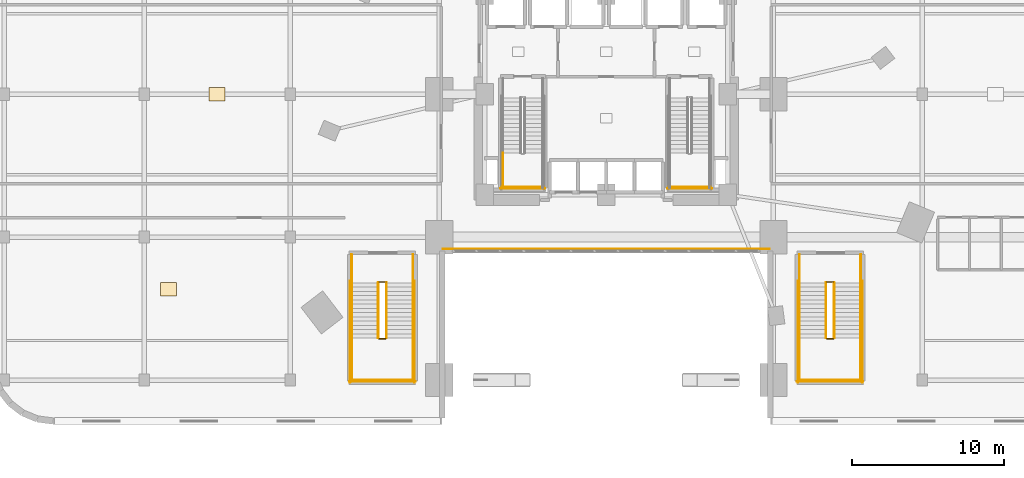
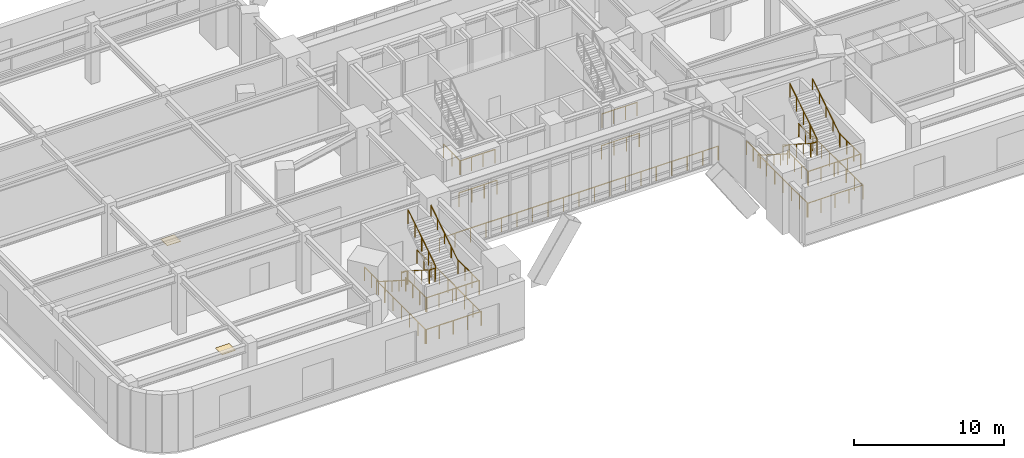
# One storey, part 24 of 26: 34 railings, 2 coverings.
"""IFC4 building model written with IfcOpenShell, lengths in metres."""

from ifc_helpers import new_model, si_unit, direction, frame, origin, origin_2d, place, context, subcontext, project, spatial, rectangle, circle, extrude, material, layer, layer_set, type_object, element, save


model = new_model("IFC4")

# Units and contexts
model_context = context("Model", 3, precision=1e-05, world=origin(), true_north=direction((0.0, 1.0)))
body_context = subcontext(model_context, "Body", "Model", "MODEL_VIEW")
ifc_project = project(units=[si_unit("LENGTHUNIT", "METRE"), si_unit("AREAUNIT", "SQUARE_METRE"), si_unit("VOLUMEUNIT", "CUBIC_METRE"), si_unit("PLANEANGLEUNIT", "RADIAN"), si_unit("MASSUNIT", "GRAM", prefix="KILO")], contexts=[model_context])

# Site, building, storey
site_placement = place(None, origin())
site = spatial("IfcSite", under=ifc_project, at=site_placement, CompositionType="ELEMENT")
building_placement = place(site_placement, origin())
building = spatial("IfcBuilding", under=site, at=building_placement, Name="Ndelora Gate Hotel", CompositionType="ELEMENT")
storey_placement = place(building_placement, frame((0.0, 0.0, 6.0)))
storey = spatial("IfcBuildingStorey", under=building, at=storey_placement, Name="L01", CompositionType="ELEMENT", Elevation=6.0)

# Coverings
ifc_material_1 = material(Name="Engineered Highland Oak Parquet", Category="wood")
ifc_layer_1 = layer(ifc_material_1, 0.030029296875)
ifc_layer_set_1 = layer_set([ifc_layer_1], Name="Engineered Highland Oak Parquet")
covering_type = type_object("IfcCoveringType", Name="COV-FLR-PARQ", PredefinedType="FLOORING", material=ifc_layer_set_1)
for number, where, z_axis, x_axis, name in (
    (1, (-25.625, 0.0, 0.0), (0.0, 0.0, 1.0), (1.0, 0.0, 0.0), "L01 Portal Arch Mezzanine Salon Oak Parquet Flooring"),
    (2, (-28.800048828125, -12.82861328125, 0.0), (0.0, 0.0, 1.0), (1.0, 0.0, 0.0), "L01 West Mezzanine VIP Dining Room Oak Parquet Flooring"),
):
    element("IfcCovering", number, at=place(storey_placement, frame(where, z_axis=z_axis, x_axis=x_axis)), inside=storey, type_object=covering_type, Name=name, PredefinedType="FLOORING", context=body_context, shape_type="SweptSolid", body=[
        extrude(rectangle(XDim=1.050048828125, YDim=0.89990234375, at=origin_2d()), origin(), (0.0, 0.0, 1.0), 0.030029296875),
    ])

# Railings
ifc_material_2 = material(Name="Laminated Safety Glass and Bronze Top Rail", Category="glass")
ifc_layer_2 = layer(ifc_material_2, 0.070068359375)
ifc_layer_set_2 = layer_set([ifc_layer_2], Name="Laminated Safety Glass and Bronze Top Rail")
railing_type_1 = type_object("IfcRailingType", Name="RL-BAL-1150", PredefinedType="BALUSTRADE", material=ifc_layer_set_2)
railing_1_placement = place(storey_placement, frame((-10.75, -10.179931640625, 0.0)))
element("IfcRailing", 3, at=railing_1_placement, inside=storey, type_object=railing_type_1, Name="L01 Portal Arch Atrium Edge Guard S-BRIDGE", PredefinedType="BALUSTRADE", context=body_context, shape_type="SweptSolid", body=[
    extrude(circle(Radius=0.02392578125, at=origin_2d()), frame((0.0, 0.0, 1.1357421875), z_axis=(1.0, 0.0, 0.0), x_axis=(0.0, 1.0, 0.0)), (0.0, 0.0, 1.0), 21.5),
    extrude(circle(Radius=0.02099609375, at=origin_2d()), origin(), (0.0, 0.0, 1.0), 1.11181640625),
    extrude(circle(Radius=0.02099609375, at=origin_2d()), frame((1.1943359375, 0.0, 0.0)), (0.0, 0.0, 1.0), 1.11181640625),
    extrude(circle(Radius=0.02099609375, at=origin_2d()), frame((2.388916015625, 0.0, 0.0)), (0.0, 0.0, 1.0), 1.11181640625),
    extrude(circle(Radius=0.02099609375, at=origin_2d()), frame((3.583251953125, 0.0, 0.0)), (0.0, 0.0, 1.0), 1.11181640625),
    extrude(circle(Radius=0.02099609375, at=origin_2d()), frame((4.77783203125, 0.0, 0.0)), (0.0, 0.0, 1.0), 1.11181640625),
    extrude(circle(Radius=0.02099609375, at=origin_2d()), frame((5.97216796875, 0.0, 0.0)), (0.0, 0.0, 1.0), 1.11181640625),
    extrude(circle(Radius=0.02099609375, at=origin_2d()), frame((7.166748046875, 0.0, 0.0)), (0.0, 0.0, 1.0), 1.11181640625),
    extrude(circle(Radius=0.02099609375, at=origin_2d()), frame((8.361083984375, 0.0, 0.0)), (0.0, 0.0, 1.0), 1.11181640625),
    extrude(circle(Radius=0.02099609375, at=origin_2d()), frame((9.5556640625, 0.0, 0.0)), (0.0, 0.0, 1.0), 1.11181640625),
    extrude(circle(Radius=0.02099609375, at=origin_2d()), frame((10.75, 0.0, 0.0)), (0.0, 0.0, 1.0), 1.11181640625),
    extrude(circle(Radius=0.02099609375, at=origin_2d()), frame((11.9443359375, 0.0, 0.0)), (0.0, 0.0, 1.0), 1.11181640625),
    extrude(circle(Radius=0.02099609375, at=origin_2d()), frame((13.138916015625, 0.0, 0.0)), (0.0, 0.0, 1.0), 1.11181640625),
    extrude(circle(Radius=0.02099609375, at=origin_2d()), frame((14.333251953125, 0.0, 0.0)), (0.0, 0.0, 1.0), 1.11181640625),
    extrude(circle(Radius=0.02099609375, at=origin_2d()), frame((15.52783203125, 0.0, 0.0)), (0.0, 0.0, 1.0), 1.11181640625),
    extrude(circle(Radius=0.02099609375, at=origin_2d()), frame((16.72216796875, 0.0, 0.0)), (0.0, 0.0, 1.0), 1.11181640625),
    extrude(circle(Radius=0.02099609375, at=origin_2d()), frame((17.916748046875, 0.0, 0.0)), (0.0, 0.0, 1.0), 1.11181640625),
    extrude(circle(Radius=0.02099609375, at=origin_2d()), frame((19.111083984375, 0.0, 0.0)), (0.0, 0.0, 1.0), 1.11181640625),
    extrude(circle(Radius=0.02099609375, at=origin_2d()), frame((20.3056640625, 0.0, 0.0)), (0.0, 0.0, 1.0), 1.11181640625),
    extrude(circle(Radius=0.02099609375, at=origin_2d()), frame((21.5, 0.0, 0.0)), (0.0, 0.0, 1.0), 1.11181640625),
])
ifc_material_3 = material(Name="Painted Galvanized Steel Balustrade", Category="steel")
ifc_layer_3 = layer(ifc_material_3, 0.06005859375)
ifc_layer_set_3 = layer_set([ifc_layer_3], Name="Painted Galvanized Steel Balustrade")
railing_type_2 = type_object("IfcRailingType", Name="RL-STAIR-GD", PredefinedType="GUARDRAIL", material=ifc_layer_set_3)
railing_2_placement = place(storey_placement, frame((-6.800048828125, -3.8701171875, 2.5)))
element("IfcRailing", 4, at=railing_2_placement, inside=storey, type_object=railing_type_2, Name="L01 ST4 stair guard 3", PredefinedType="GUARDRAIL", context=body_context, shape_type="SweptSolid", body=[
    extrude(circle(Radius=0.02392578125, at=origin_2d()), frame((0.0, 0.0, 1.10595703125), z_axis=(0.0, -1.0, 0.0), x_axis=(1.0, 0.0, 0.0)), (0.0, 0.0, 1.0), 2.27978515625),
    extrude(circle(Radius=0.02099609375, at=origin_2d()), origin(), (0.0, 0.0, 1.0), 1.081787109375),
    extrude(circle(Radius=0.02099609375, at=origin_2d()), frame((0.0, -1.139892578125, 0.0)), (0.0, 0.0, 1.0), 1.081787109375),
    extrude(circle(Radius=0.02099609375, at=origin_2d()), frame((0.0, -2.27978515625, 0.0)), (0.0, 0.0, 1.0), 1.081787109375),
])
railing_3_placement = place(storey_placement, frame((-6.85009765625, -6.10009765625, 2.5)))
element("IfcRailing", 5, at=railing_3_placement, inside=storey, type_object=railing_type_2, Name="L01 ST4 stair guard 5", PredefinedType="GUARDRAIL", context=body_context, shape_type="SweptSolid", body=[
    extrude(circle(Radius=0.02392578125, at=origin_2d()), frame((0.0, 0.0, 1.10595703125), z_axis=(1.0, 0.0, 0.0), x_axis=(0.0, 1.0, 0.0)), (0.0, 0.0, 1.0), 2.72021484375),
    extrude(circle(Radius=0.02099609375, at=origin_2d()), origin(), (0.0, 0.0, 1.0), 1.081787109375),
    extrude(circle(Radius=0.02099609375, at=origin_2d()), frame((0.90673828125, 0.0, 0.0)), (0.0, 0.0, 1.0), 1.081787109375),
    extrude(circle(Radius=0.02099609375, at=origin_2d()), frame((1.8134765625, 0.0, 0.0)), (0.0, 0.0, 1.0), 1.081787109375),
    extrude(circle(Radius=0.02099609375, at=origin_2d()), frame((2.72021484375, 0.0, 0.0)), (0.0, 0.0, 1.0), 1.081787109375),
])
railing_4_placement = place(storey_placement, frame((-6.949951171875, -6.199951171875, 0.0)))
element("IfcRailing", 6, at=railing_4_placement, inside=storey, type_object=railing_type_2, Name="L01 ST4 stair guard 12", PredefinedType="GUARDRAIL", context=body_context, shape_type="SweptSolid", body=[
    extrude(circle(Radius=0.02392578125, at=origin_2d()), frame((0.0, 0.0, 1.10595703125), z_axis=(1.0, 0.0, 0.0), x_axis=(0.0, 1.0, 0.0)), (0.0, 0.0, 1.0), 2.919921875),
    extrude(circle(Radius=0.02099609375, at=origin_2d()), origin(), (0.0, 0.0, 1.0), 1.081787109375),
    extrude(circle(Radius=0.02099609375, at=origin_2d()), frame((0.973388671875, 0.0, 0.0)), (0.0, 0.0, 1.0), 1.081787109375),
    extrude(circle(Radius=0.02099609375, at=origin_2d()), frame((1.946533203125, 0.0, 0.0)), (0.0, 0.0, 1.0), 1.081787109375),
    extrude(circle(Radius=0.02099609375, at=origin_2d()), frame((2.919921875, 0.0, 0.0)), (0.0, 0.0, 1.0), 1.081787109375),
])
railing_5_placement = place(storey_placement, frame((4.1298828125, -6.10009765625, 2.5)))
element("IfcRailing", 7, at=railing_5_placement, inside=storey, type_object=railing_type_2, Name="L01 ST5 stair guard 5", PredefinedType="GUARDRAIL", context=body_context, shape_type="SweptSolid", body=[
    extrude(circle(Radius=0.02392578125, at=origin_2d()), frame((0.0, 0.0, 1.10595703125), z_axis=(1.0, 0.0, 0.0), x_axis=(0.0, 1.0, 0.0)), (0.0, 0.0, 1.0), 2.72021484375),
    extrude(circle(Radius=0.02099609375, at=origin_2d()), origin(), (0.0, 0.0, 1.0), 1.081787109375),
    extrude(circle(Radius=0.02099609375, at=origin_2d()), frame((0.90673828125, 0.0, 0.0)), (0.0, 0.0, 1.0), 1.081787109375),
    extrude(circle(Radius=0.02099609375, at=origin_2d()), frame((1.8134765625, 0.0, 0.0)), (0.0, 0.0, 1.0), 1.081787109375),
    extrude(circle(Radius=0.02099609375, at=origin_2d()), frame((2.72021484375, 0.0, 0.0)), (0.0, 0.0, 1.0), 1.081787109375),
])
railing_6_placement = place(storey_placement, frame((4.030029296875, -6.199951171875, 0.0)))
element("IfcRailing", 8, at=railing_6_placement, inside=storey, type_object=railing_type_2, Name="L01 ST5 stair guard 12", PredefinedType="GUARDRAIL", context=body_context, shape_type="SweptSolid", body=[
    extrude(circle(Radius=0.02392578125, at=origin_2d()), frame((0.0, 0.0, 1.10595703125), z_axis=(1.0, 0.0, 0.0), x_axis=(0.0, 1.0, 0.0)), (0.0, 0.0, 1.0), 2.919921875),
    extrude(circle(Radius=0.02099609375, at=origin_2d()), origin(), (0.0, 0.0, 1.0), 1.081787109375),
    extrude(circle(Radius=0.02099609375, at=origin_2d()), frame((0.973388671875, 0.0, 0.0)), (0.0, 0.0, 1.0), 1.081787109375),
    extrude(circle(Radius=0.02099609375, at=origin_2d()), frame((1.946533203125, 0.0, 0.0)), (0.0, 0.0, 1.0), 1.081787109375),
    extrude(circle(Radius=0.02099609375, at=origin_2d()), frame((2.919921875, 0.0, 0.0)), (0.0, 0.0, 1.0), 1.081787109375),
])
railing_7_placement = place(storey_placement, frame((-15.0, -12.39990234375, 0.178466796875)))
element("IfcRailing", 9, at=railing_7_placement, inside=storey, type_object=railing_type_2, Name="L01 ST3A stair guard 1", PredefinedType="GUARDRAIL", context=body_context, shape_type="SweptSolid", body=[
    extrude(circle(Radius=0.02392578125, at=origin_2d()), frame((0.0, 0.0, 1.10595703125), z_axis=(0.0, -0.843127859045, 0.537713132908), x_axis=(1.0, 0.0, 0.0)), (0.0, 0.0, 1.0), 4.3173828125),
    extrude(circle(Radius=0.02099609375, at=origin_2d()), origin(), (0.0, 0.0, 1.0), 1.081787109375),
    extrude(circle(Radius=0.02099609375, at=origin_2d()), frame((0.0, -0.91015625, 0.580322265625)), (0.0, 0.0, 1.0), 1.081787109375),
    extrude(circle(Radius=0.02099609375, at=origin_2d()), frame((0.0, -1.820068359375, 1.16064453125)), (0.0, 0.0, 1.0), 1.081787109375),
    extrude(circle(Radius=0.02099609375, at=origin_2d()), frame((0.0, -2.72998046875, 1.7412109375)), (0.0, 0.0, 1.0), 1.081787109375),
    extrude(circle(Radius=0.02099609375, at=origin_2d()), frame((0.0, -3.64013671875, 2.321533203125)), (0.0, 0.0, 1.0), 1.081787109375),
])
railing_8_placement = place(storey_placement, frame((-14.949951171875, -16.090087890625, 2.5)))
element("IfcRailing", 10, at=railing_8_placement, inside=storey, type_object=railing_type_2, Name="L01 ST3A stair guard 2", PredefinedType="GUARDRAIL", context=body_context, shape_type="SweptSolid", body=[
    extrude(circle(Radius=0.02392578125, at=origin_2d()), frame((0.0, 0.0, 1.10595703125), z_axis=(1.0, 0.0, 0.0), x_axis=(0.0, 1.0, 0.0)), (0.0, 0.0, 1.0), 0.43994140625),
    extrude(circle(Radius=0.02099609375, at=origin_2d()), origin(), (0.0, 0.0, 1.0), 1.081787109375),
    extrude(circle(Radius=0.02099609375, at=origin_2d()), frame((0.43994140625, 0.0, 0.0)), (0.0, 0.0, 1.0), 1.081787109375),
])
for number, where, name in (
    (11, (-16.75, -16.0400390625, 2.5), "L01 ST3A stair guard 3"),
    (12, (-12.7099609375, -16.0400390625, 2.5), "L01 ST3A stair guard 4"),
):
    element("IfcRailing", number, at=place(storey_placement, frame(where)), inside=storey, type_object=railing_type_2, Name=name, PredefinedType="GUARDRAIL", context=body_context, shape_type="SweptSolid", body=[
        extrude(circle(Radius=0.02392578125, at=origin_2d()), frame((0.0, 0.0, 1.10595703125), z_axis=(0.0, -1.0, 0.0), x_axis=(1.0, 0.0, 0.0)), (0.0, 0.0, 1.0), 2.81005859375),
        extrude(circle(Radius=0.02099609375, at=origin_2d()), origin(), (0.0, 0.0, 1.0), 1.081787109375),
        extrude(circle(Radius=0.02099609375, at=origin_2d()), frame((0.0, -0.936767578125, 0.0)), (0.0, 0.0, 1.0), 1.081787109375),
        extrude(circle(Radius=0.02099609375, at=origin_2d()), frame((0.0, -1.873291015625, 0.0)), (0.0, 0.0, 1.0), 1.081787109375),
        extrude(circle(Radius=0.02099609375, at=origin_2d()), frame((0.0, -2.81005859375, 0.0)), (0.0, 0.0, 1.0), 1.081787109375),
    ])
railing_9_placement = place(storey_placement, frame((-16.800048828125, -18.800048828125, 2.5)))
element("IfcRailing", 13, at=railing_9_placement, inside=storey, type_object=railing_type_2, Name="L01 ST3A stair guard 5", PredefinedType="GUARDRAIL", context=body_context, shape_type="SweptSolid", body=[
    extrude(circle(Radius=0.02392578125, at=origin_2d()), frame((0.0, 0.0, 1.10595703125), z_axis=(1.0, 0.0, 0.0), x_axis=(0.0, 1.0, 0.0)), (0.0, 0.0, 1.0), 4.14013671875),
    extrude(circle(Radius=0.02099609375, at=origin_2d()), origin(), (0.0, 0.0, 1.0), 1.081787109375),
    extrude(circle(Radius=0.02099609375, at=origin_2d()), frame((1.03515625, 0.0, 0.0)), (0.0, 0.0, 1.0), 1.081787109375),
    extrude(circle(Radius=0.02099609375, at=origin_2d()), frame((2.070068359375, 0.0, 0.0)), (0.0, 0.0, 1.0), 1.081787109375),
    extrude(circle(Radius=0.02099609375, at=origin_2d()), frame((3.10498046875, 0.0, 0.0)), (0.0, 0.0, 1.0), 1.081787109375),
    extrude(circle(Radius=0.02099609375, at=origin_2d()), frame((4.14013671875, 0.0, 0.0)), (0.0, 0.0, 1.0), 1.081787109375),
])
railing_10_placement = place(storey_placement, frame((-14.4599609375, -16.0400390625, 2.678466796875)))
element("IfcRailing", 14, at=railing_10_placement, inside=storey, type_object=railing_type_2, Name="L01 ST3A stair guard 6", PredefinedType="GUARDRAIL", context=body_context, shape_type="SweptSolid", body=[
    extrude(circle(Radius=0.02392578125, at=origin_2d()), frame((0.0, 0.0, 1.10595703125), z_axis=(0.0, 0.843127859045, 0.537713132908), x_axis=(-1.0, 0.0, 0.0)), (0.0, 0.0, 1.0), 4.3173828125),
    extrude(circle(Radius=0.02099609375, at=origin_2d()), origin(), (0.0, 0.0, 1.0), 1.081787109375),
    extrude(circle(Radius=0.02099609375, at=origin_2d()), frame((0.0, 0.91015625, 0.580322265625)), (0.0, 0.0, 1.0), 1.081787109375),
    extrude(circle(Radius=0.02099609375, at=origin_2d()), frame((0.0, 1.820068359375, 1.16064453125)), (0.0, 0.0, 1.0), 1.081787109375),
    extrude(circle(Radius=0.02099609375, at=origin_2d()), frame((0.0, 2.72998046875, 1.7412109375)), (0.0, 0.0, 1.0), 1.081787109375),
    extrude(circle(Radius=0.02099609375, at=origin_2d()), frame((0.0, 3.64013671875, 2.321533203125)), (0.0, 0.0, 1.0), 1.081787109375),
])
railing_11_placement = place(storey_placement, frame((-14.949951171875, -12.35009765625, 0.0)))
element("IfcRailing", 15, at=railing_11_placement, inside=storey, type_object=railing_type_2, Name="L01 ST3A stair guard 7", PredefinedType="GUARDRAIL", context=body_context, shape_type="SweptSolid", body=[
    extrude(circle(Radius=0.02392578125, at=origin_2d()), frame((0.0, 0.0, 1.10595703125), z_axis=(1.0, 0.0, 0.0), x_axis=(0.0, 1.0, 0.0)), (0.0, 0.0, 1.0), 0.43994140625),
    extrude(circle(Radius=0.02099609375, at=origin_2d()), origin(), (0.0, 0.0, 1.0), 1.081787109375),
    extrude(circle(Radius=0.02099609375, at=origin_2d()), frame((0.43994140625, 0.0, 0.0)), (0.0, 0.0, 1.0), 1.081787109375),
])
for number, where, name in (
    (16, (-16.75, -10.550048828125, 0.0), "L01 ST3A stair guard 8"),
    (17, (-12.7099609375, -10.550048828125, 0.0), "L01 ST3A stair guard 9"),
):
    element("IfcRailing", number, at=place(storey_placement, frame(where)), inside=storey, type_object=railing_type_2, Name=name, PredefinedType="GUARDRAIL", context=body_context, shape_type="SweptSolid", body=[
        extrude(circle(Radius=0.02392578125, at=origin_2d()), frame((0.0, 0.0, 1.10595703125), z_axis=(0.0, -1.0, 0.0), x_axis=(1.0, 0.0, 0.0)), (0.0, 0.0, 1.0), 1.849853515625),
        extrude(circle(Radius=0.02099609375, at=origin_2d()), origin(), (0.0, 0.0, 1.0), 1.081787109375),
        extrude(circle(Radius=0.02099609375, at=origin_2d()), frame((0.0, -0.9248046875, 0.0)), (0.0, 0.0, 1.0), 1.081787109375),
        extrude(circle(Radius=0.02099609375, at=origin_2d()), frame((0.0, -1.849853515625, 0.0)), (0.0, 0.0, 1.0), 1.081787109375),
    ])
for number, where, name in (
    (18, (-16.85009765625, -12.300048828125, 0.0), "L01 ST3A stair guard 10"),
    (19, (-12.610107421875, -12.300048828125, 0.0), "L01 ST3A stair guard 11"),
):
    element("IfcRailing", number, at=place(storey_placement, frame(where)), inside=storey, type_object=railing_type_2, Name=name, PredefinedType="GUARDRAIL", context=body_context, shape_type="SweptSolid", body=[
        extrude(circle(Radius=0.02392578125, at=origin_2d()), frame((0.0, 0.0, 1.10595703125), z_axis=(0.0, -1.0, 0.0), x_axis=(1.0, 0.0, 0.0)), (0.0, 0.0, 1.0), 6.64990234375),
        extrude(circle(Radius=0.02099609375, at=origin_2d()), origin(), (0.0, 0.0, 1.0), 1.081787109375),
        extrude(circle(Radius=0.02099609375, at=origin_2d()), frame((0.0, -1.1083984375, 0.0)), (0.0, 0.0, 1.0), 1.081787109375),
        extrude(circle(Radius=0.02099609375, at=origin_2d()), frame((0.0, -2.216552734375, 0.0)), (0.0, 0.0, 1.0), 1.081787109375),
        extrude(circle(Radius=0.02099609375, at=origin_2d()), frame((0.0, -3.324951171875, 0.0)), (0.0, 0.0, 1.0), 1.081787109375),
        extrude(circle(Radius=0.02099609375, at=origin_2d()), frame((0.0, -4.433349609375, 0.0)), (0.0, 0.0, 1.0), 1.081787109375),
        extrude(circle(Radius=0.02099609375, at=origin_2d()), frame((0.0, -5.54150390625, 0.0)), (0.0, 0.0, 1.0), 1.081787109375),
        extrude(circle(Radius=0.02099609375, at=origin_2d()), frame((0.0, -6.64990234375, 0.0)), (0.0, 0.0, 1.0), 1.081787109375),
    ])
railing_12_placement = place(storey_placement, frame((-16.89990234375, -18.89990234375, 0.0)))
element("IfcRailing", 20, at=railing_12_placement, inside=storey, type_object=railing_type_2, Name="L01 ST3A stair guard 12", PredefinedType="GUARDRAIL", context=body_context, shape_type="SweptSolid", body=[
    extrude(circle(Radius=0.02392578125, at=origin_2d()), frame((0.0, 0.0, 1.10595703125), z_axis=(1.0, 0.0, 0.0), x_axis=(0.0, 1.0, 0.0)), (0.0, 0.0, 1.0), 4.33984375),
    extrude(circle(Radius=0.02099609375, at=origin_2d()), origin(), (0.0, 0.0, 1.0), 1.081787109375),
    extrude(circle(Radius=0.02099609375, at=origin_2d()), frame((1.0849609375, 0.0, 0.0)), (0.0, 0.0, 1.0), 1.081787109375),
    extrude(circle(Radius=0.02099609375, at=origin_2d()), frame((2.169921875, 0.0, 0.0)), (0.0, 0.0, 1.0), 1.081787109375),
    extrude(circle(Radius=0.02099609375, at=origin_2d()), frame((3.2548828125, 0.0, 0.0)), (0.0, 0.0, 1.0), 1.081787109375),
    extrude(circle(Radius=0.02099609375, at=origin_2d()), frame((4.33984375, 0.0, 0.0)), (0.0, 0.0, 1.0), 1.081787109375),
])
railing_13_placement = place(storey_placement, frame((14.4599609375, -12.39990234375, 0.178466796875)))
element("IfcRailing", 21, at=railing_13_placement, inside=storey, type_object=railing_type_2, Name="L01 ST3B stair guard 1", PredefinedType="GUARDRAIL", context=body_context, shape_type="SweptSolid", body=[
    extrude(circle(Radius=0.02392578125, at=origin_2d()), frame((0.0, 0.0, 1.10595703125), z_axis=(0.0, -0.843127859045, 0.537713132908), x_axis=(1.0, 0.0, 0.0)), (0.0, 0.0, 1.0), 4.3173828125),
    extrude(circle(Radius=0.02099609375, at=origin_2d()), origin(), (0.0, 0.0, 1.0), 1.081787109375),
    extrude(circle(Radius=0.02099609375, at=origin_2d()), frame((0.0, -0.91015625, 0.580322265625)), (0.0, 0.0, 1.0), 1.081787109375),
    extrude(circle(Radius=0.02099609375, at=origin_2d()), frame((0.0, -1.820068359375, 1.16064453125)), (0.0, 0.0, 1.0), 1.081787109375),
    extrude(circle(Radius=0.02099609375, at=origin_2d()), frame((0.0, -2.72998046875, 1.7412109375)), (0.0, 0.0, 1.0), 1.081787109375),
    extrude(circle(Radius=0.02099609375, at=origin_2d()), frame((0.0, -3.64013671875, 2.321533203125)), (0.0, 0.0, 1.0), 1.081787109375),
])
railing_14_placement = place(storey_placement, frame((14.510009765625, -16.090087890625, 2.5)))
element("IfcRailing", 22, at=railing_14_placement, inside=storey, type_object=railing_type_2, Name="L01 ST3B stair guard 2", PredefinedType="GUARDRAIL", context=body_context, shape_type="SweptSolid", body=[
    extrude(circle(Radius=0.02392578125, at=origin_2d()), frame((0.0, 0.0, 1.10595703125), z_axis=(1.0, 0.0, 0.0), x_axis=(0.0, 1.0, 0.0)), (0.0, 0.0, 1.0), 0.43994140625),
    extrude(circle(Radius=0.02099609375, at=origin_2d()), origin(), (0.0, 0.0, 1.0), 1.081787109375),
    extrude(circle(Radius=0.02099609375, at=origin_2d()), frame((0.43994140625, 0.0, 0.0)), (0.0, 0.0, 1.0), 1.081787109375),
])
for number, where, name in (
    (23, (12.7099609375, -16.0400390625, 2.5), "L01 ST3B stair guard 3"),
    (24, (16.75, -16.0400390625, 2.5), "L01 ST3B stair guard 4"),
):
    element("IfcRailing", number, at=place(storey_placement, frame(where)), inside=storey, type_object=railing_type_2, Name=name, PredefinedType="GUARDRAIL", context=body_context, shape_type="SweptSolid", body=[
        extrude(circle(Radius=0.02392578125, at=origin_2d()), frame((0.0, 0.0, 1.10595703125), z_axis=(0.0, -1.0, 0.0), x_axis=(1.0, 0.0, 0.0)), (0.0, 0.0, 1.0), 2.81005859375),
        extrude(circle(Radius=0.02099609375, at=origin_2d()), origin(), (0.0, 0.0, 1.0), 1.081787109375),
        extrude(circle(Radius=0.02099609375, at=origin_2d()), frame((0.0, -0.936767578125, 0.0)), (0.0, 0.0, 1.0), 1.081787109375),
        extrude(circle(Radius=0.02099609375, at=origin_2d()), frame((0.0, -1.873291015625, 0.0)), (0.0, 0.0, 1.0), 1.081787109375),
        extrude(circle(Radius=0.02099609375, at=origin_2d()), frame((0.0, -2.81005859375, 0.0)), (0.0, 0.0, 1.0), 1.081787109375),
    ])
railing_15_placement = place(storey_placement, frame((12.659912109375, -18.800048828125, 2.5)))
element("IfcRailing", 25, at=railing_15_placement, inside=storey, type_object=railing_type_2, Name="L01 ST3B stair guard 5", PredefinedType="GUARDRAIL", context=body_context, shape_type="SweptSolid", body=[
    extrude(circle(Radius=0.02392578125, at=origin_2d()), frame((0.0, 0.0, 1.10595703125), z_axis=(1.0, 0.0, 0.0), x_axis=(0.0, 1.0, 0.0)), (0.0, 0.0, 1.0), 4.14013671875),
    extrude(circle(Radius=0.02099609375, at=origin_2d()), origin(), (0.0, 0.0, 1.0), 1.081787109375),
    extrude(circle(Radius=0.02099609375, at=origin_2d()), frame((1.03515625, 0.0, 0.0)), (0.0, 0.0, 1.0), 1.081787109375),
    extrude(circle(Radius=0.02099609375, at=origin_2d()), frame((2.070068359375, 0.0, 0.0)), (0.0, 0.0, 1.0), 1.081787109375),
    extrude(circle(Radius=0.02099609375, at=origin_2d()), frame((3.10498046875, 0.0, 0.0)), (0.0, 0.0, 1.0), 1.081787109375),
    extrude(circle(Radius=0.02099609375, at=origin_2d()), frame((4.14013671875, 0.0, 0.0)), (0.0, 0.0, 1.0), 1.081787109375),
])
railing_16_placement = place(storey_placement, frame((15.0, -16.0400390625, 2.678466796875)))
element("IfcRailing", 26, at=railing_16_placement, inside=storey, type_object=railing_type_2, Name="L01 ST3B stair guard 6", PredefinedType="GUARDRAIL", context=body_context, shape_type="SweptSolid", body=[
    extrude(circle(Radius=0.02392578125, at=origin_2d()), frame((0.0, 0.0, 1.10595703125), z_axis=(0.0, 0.843127859045, 0.537713132908), x_axis=(-1.0, 0.0, 0.0)), (0.0, 0.0, 1.0), 4.3173828125),
    extrude(circle(Radius=0.02099609375, at=origin_2d()), origin(), (0.0, 0.0, 1.0), 1.081787109375),
    extrude(circle(Radius=0.02099609375, at=origin_2d()), frame((0.0, 0.91015625, 0.580322265625)), (0.0, 0.0, 1.0), 1.081787109375),
    extrude(circle(Radius=0.02099609375, at=origin_2d()), frame((0.0, 1.820068359375, 1.16064453125)), (0.0, 0.0, 1.0), 1.081787109375),
    extrude(circle(Radius=0.02099609375, at=origin_2d()), frame((0.0, 2.72998046875, 1.7412109375)), (0.0, 0.0, 1.0), 1.081787109375),
    extrude(circle(Radius=0.02099609375, at=origin_2d()), frame((0.0, 3.64013671875, 2.321533203125)), (0.0, 0.0, 1.0), 1.081787109375),
])
railing_17_placement = place(storey_placement, frame((14.510009765625, -12.35009765625, 0.0)))
element("IfcRailing", 27, at=railing_17_placement, inside=storey, type_object=railing_type_2, Name="L01 ST3B stair guard 7", PredefinedType="GUARDRAIL", context=body_context, shape_type="SweptSolid", body=[
    extrude(circle(Radius=0.02392578125, at=origin_2d()), frame((0.0, 0.0, 1.10595703125), z_axis=(1.0, 0.0, 0.0), x_axis=(0.0, 1.0, 0.0)), (0.0, 0.0, 1.0), 0.43994140625),
    extrude(circle(Radius=0.02099609375, at=origin_2d()), origin(), (0.0, 0.0, 1.0), 1.081787109375),
    extrude(circle(Radius=0.02099609375, at=origin_2d()), frame((0.43994140625, 0.0, 0.0)), (0.0, 0.0, 1.0), 1.081787109375),
])
for number, where, name in (
    (28, (12.7099609375, -10.550048828125, 0.0), "L01 ST3B stair guard 8"),
    (29, (16.75, -10.550048828125, 0.0), "L01 ST3B stair guard 9"),
):
    element("IfcRailing", number, at=place(storey_placement, frame(where)), inside=storey, type_object=railing_type_2, Name=name, PredefinedType="GUARDRAIL", context=body_context, shape_type="SweptSolid", body=[
        extrude(circle(Radius=0.02392578125, at=origin_2d()), frame((0.0, 0.0, 1.10595703125), z_axis=(0.0, -1.0, 0.0), x_axis=(1.0, 0.0, 0.0)), (0.0, 0.0, 1.0), 1.849853515625),
        extrude(circle(Radius=0.02099609375, at=origin_2d()), origin(), (0.0, 0.0, 1.0), 1.081787109375),
        extrude(circle(Radius=0.02099609375, at=origin_2d()), frame((0.0, -0.9248046875, 0.0)), (0.0, 0.0, 1.0), 1.081787109375),
        extrude(circle(Radius=0.02099609375, at=origin_2d()), frame((0.0, -1.849853515625, 0.0)), (0.0, 0.0, 1.0), 1.081787109375),
    ])
for number, where, name in (
    (30, (12.610107421875, -12.300048828125, 0.0), "L01 ST3B stair guard 10"),
    (31, (16.85009765625, -12.300048828125, 0.0), "L01 ST3B stair guard 11"),
):
    element("IfcRailing", number, at=place(storey_placement, frame(where)), inside=storey, type_object=railing_type_2, Name=name, PredefinedType="GUARDRAIL", context=body_context, shape_type="SweptSolid", body=[
        extrude(circle(Radius=0.02392578125, at=origin_2d()), frame((0.0, 0.0, 1.10595703125), z_axis=(0.0, -1.0, 0.0), x_axis=(1.0, 0.0, 0.0)), (0.0, 0.0, 1.0), 6.64990234375),
        extrude(circle(Radius=0.02099609375, at=origin_2d()), origin(), (0.0, 0.0, 1.0), 1.081787109375),
        extrude(circle(Radius=0.02099609375, at=origin_2d()), frame((0.0, -1.1083984375, 0.0)), (0.0, 0.0, 1.0), 1.081787109375),
        extrude(circle(Radius=0.02099609375, at=origin_2d()), frame((0.0, -2.216552734375, 0.0)), (0.0, 0.0, 1.0), 1.081787109375),
        extrude(circle(Radius=0.02099609375, at=origin_2d()), frame((0.0, -3.324951171875, 0.0)), (0.0, 0.0, 1.0), 1.081787109375),
        extrude(circle(Radius=0.02099609375, at=origin_2d()), frame((0.0, -4.433349609375, 0.0)), (0.0, 0.0, 1.0), 1.081787109375),
        extrude(circle(Radius=0.02099609375, at=origin_2d()), frame((0.0, -5.54150390625, 0.0)), (0.0, 0.0, 1.0), 1.081787109375),
        extrude(circle(Radius=0.02099609375, at=origin_2d()), frame((0.0, -6.64990234375, 0.0)), (0.0, 0.0, 1.0), 1.081787109375),
    ])
railing_18_placement = place(storey_placement, frame((12.56005859375, -18.89990234375, 0.0)))
element("IfcRailing", 32, at=railing_18_placement, inside=storey, type_object=railing_type_2, Name="L01 ST3B stair guard 12", PredefinedType="GUARDRAIL", context=body_context, shape_type="SweptSolid", body=[
    extrude(circle(Radius=0.02392578125, at=origin_2d()), frame((0.0, 0.0, 1.10595703125), z_axis=(1.0, 0.0, 0.0), x_axis=(0.0, 1.0, 0.0)), (0.0, 0.0, 1.0), 4.33984375),
    extrude(circle(Radius=0.02099609375, at=origin_2d()), origin(), (0.0, 0.0, 1.0), 1.081787109375),
    extrude(circle(Radius=0.02099609375, at=origin_2d()), frame((1.0849609375, 0.0, 0.0)), (0.0, 0.0, 1.0), 1.081787109375),
    extrude(circle(Radius=0.02099609375, at=origin_2d()), frame((2.169921875, 0.0, 0.0)), (0.0, 0.0, 1.0), 1.081787109375),
    extrude(circle(Radius=0.02099609375, at=origin_2d()), frame((3.2548828125, 0.0, 0.0)), (0.0, 0.0, 1.0), 1.081787109375),
    extrude(circle(Radius=0.02099609375, at=origin_2d()), frame((4.33984375, 0.0, 0.0)), (0.0, 0.0, 1.0), 1.081787109375),
])
ifc_material_4 = material(Name="Brushed Stainless Steel 316", Category="steel")
ifc_layer_4 = layer(ifc_material_4, 0.050048828125)
ifc_layer_set_4 = layer_set([ifc_layer_4], Name="Brushed Stainless Steel 316")
railing_type_3 = type_object("IfcRailingType", Name="RL-STAIR-HR", PredefinedType="HANDRAIL", material=ifc_layer_set_4)
railing_19_placement = place(storey_placement, frame((-16.75, -12.39990234375, 0.178466796875)))
element("IfcRailing", 33, at=railing_19_placement, inside=storey, type_object=railing_type_3, Name="L01 ST3A stair handrail 1", PredefinedType="HANDRAIL", context=body_context, shape_type="SweptSolid", body=[
    extrude(circle(Radius=0.02392578125, at=origin_2d()), frame((0.0, 0.0, 0.8759765625), z_axis=(0.0, -0.843127859045, 0.537713132908), x_axis=(1.0, 0.0, 0.0)), (0.0, 0.0, 1.0), 4.3173828125),
    extrude(circle(Radius=0.02099609375, at=origin_2d()), origin(), (0.0, 0.0, 1.0), 0.851806640625),
    extrude(circle(Radius=0.02099609375, at=origin_2d()), frame((0.0, -0.91015625, 0.580322265625)), (0.0, 0.0, 1.0), 0.851806640625),
    extrude(circle(Radius=0.02099609375, at=origin_2d()), frame((0.0, -1.820068359375, 1.16064453125)), (0.0, 0.0, 1.0), 0.851806640625),
    extrude(circle(Radius=0.02099609375, at=origin_2d()), frame((0.0, -2.72998046875, 1.7412109375)), (0.0, 0.0, 1.0), 0.851806640625),
    extrude(circle(Radius=0.02099609375, at=origin_2d()), frame((0.0, -3.64013671875, 2.321533203125)), (0.0, 0.0, 1.0), 0.851806640625),
])
railing_20_placement = place(storey_placement, frame((-12.7099609375, -16.0400390625, 2.678466796875)))
element("IfcRailing", 34, at=railing_20_placement, inside=storey, type_object=railing_type_3, Name="L01 ST3A stair handrail 2", PredefinedType="HANDRAIL", context=body_context, shape_type="SweptSolid", body=[
    extrude(circle(Radius=0.02392578125, at=origin_2d()), frame((0.0, 0.0, 0.8759765625), z_axis=(0.0, 0.843127859045, 0.537713132908), x_axis=(-1.0, 0.0, 0.0)), (0.0, 0.0, 1.0), 4.3173828125),
    extrude(circle(Radius=0.02099609375, at=origin_2d()), origin(), (0.0, 0.0, 1.0), 0.851806640625),
    extrude(circle(Radius=0.02099609375, at=origin_2d()), frame((0.0, 0.91015625, 0.580322265625)), (0.0, 0.0, 1.0), 0.851806640625),
    extrude(circle(Radius=0.02099609375, at=origin_2d()), frame((0.0, 1.820068359375, 1.16064453125)), (0.0, 0.0, 1.0), 0.851806640625),
    extrude(circle(Radius=0.02099609375, at=origin_2d()), frame((0.0, 2.72998046875, 1.7412109375)), (0.0, 0.0, 1.0), 0.851806640625),
    extrude(circle(Radius=0.02099609375, at=origin_2d()), frame((0.0, 3.64013671875, 2.321533203125)), (0.0, 0.0, 1.0), 0.851806640625),
])
railing_21_placement = place(storey_placement, frame((12.7099609375, -12.39990234375, 0.178466796875)))
element("IfcRailing", 35, at=railing_21_placement, inside=storey, type_object=railing_type_3, Name="L01 ST3B stair handrail 1", PredefinedType="HANDRAIL", context=body_context, shape_type="SweptSolid", body=[
    extrude(circle(Radius=0.02392578125, at=origin_2d()), frame((0.0, 0.0, 0.8759765625), z_axis=(0.0, -0.843127859045, 0.537713132908), x_axis=(1.0, 0.0, 0.0)), (0.0, 0.0, 1.0), 4.3173828125),
    extrude(circle(Radius=0.02099609375, at=origin_2d()), origin(), (0.0, 0.0, 1.0), 0.851806640625),
    extrude(circle(Radius=0.02099609375, at=origin_2d()), frame((0.0, -0.91015625, 0.580322265625)), (0.0, 0.0, 1.0), 0.851806640625),
    extrude(circle(Radius=0.02099609375, at=origin_2d()), frame((0.0, -1.820068359375, 1.16064453125)), (0.0, 0.0, 1.0), 0.851806640625),
    extrude(circle(Radius=0.02099609375, at=origin_2d()), frame((0.0, -2.72998046875, 1.7412109375)), (0.0, 0.0, 1.0), 0.851806640625),
    extrude(circle(Radius=0.02099609375, at=origin_2d()), frame((0.0, -3.64013671875, 2.321533203125)), (0.0, 0.0, 1.0), 0.851806640625),
])
railing_22_placement = place(storey_placement, frame((16.75, -16.0400390625, 2.678466796875)))
element("IfcRailing", 36, at=railing_22_placement, inside=storey, type_object=railing_type_3, Name="L01 ST3B stair handrail 2", PredefinedType="HANDRAIL", context=body_context, shape_type="SweptSolid", body=[
    extrude(circle(Radius=0.02392578125, at=origin_2d()), frame((0.0, 0.0, 0.8759765625), z_axis=(0.0, 0.843127859045, 0.537713132908), x_axis=(-1.0, 0.0, 0.0)), (0.0, 0.0, 1.0), 4.3173828125),
    extrude(circle(Radius=0.02099609375, at=origin_2d()), origin(), (0.0, 0.0, 1.0), 0.851806640625),
    extrude(circle(Radius=0.02099609375, at=origin_2d()), frame((0.0, 0.91015625, 0.580322265625)), (0.0, 0.0, 1.0), 0.851806640625),
    extrude(circle(Radius=0.02099609375, at=origin_2d()), frame((0.0, 1.820068359375, 1.16064453125)), (0.0, 0.0, 1.0), 0.851806640625),
    extrude(circle(Radius=0.02099609375, at=origin_2d()), frame((0.0, 2.72998046875, 1.7412109375)), (0.0, 0.0, 1.0), 0.851806640625),
    extrude(circle(Radius=0.02099609375, at=origin_2d()), frame((0.0, 3.64013671875, 2.321533203125)), (0.0, 0.0, 1.0), 0.851806640625),
])

save(model, "model.ifc")
